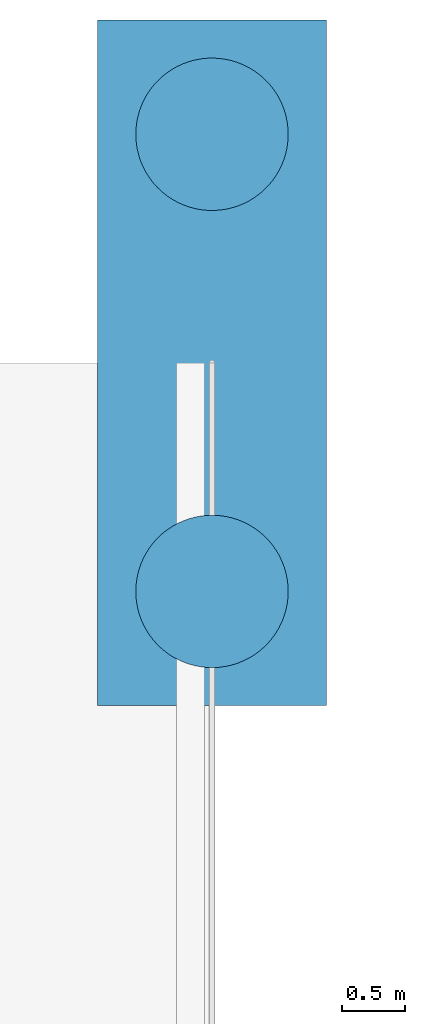
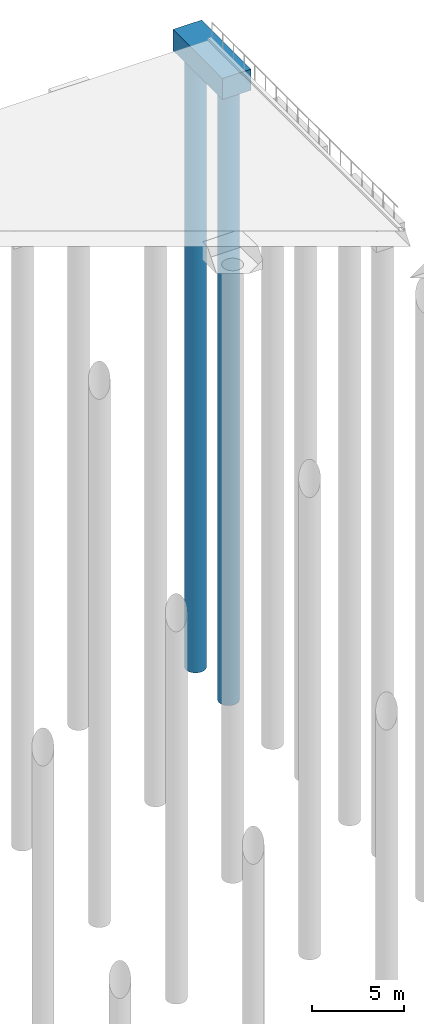
# One storey, part 6 of 212: 2 piles, 1 footing.
"""IFC4 building model written with IfcOpenShell, lengths in metres."""

from ifc_helpers import new_model, si_unit, direction, frame, origin, origin_2d, place, context, subcontext, project, spatial, rectangle, circle, extrude, material, material_profile, profile_set, type_object, element, save


model = new_model("IFC4")

# Units and contexts
model_context = context("Model", 3, precision=1e-05, world=origin(), true_north=direction((0.0, 1.0)))
body_context = subcontext(model_context, "Body", "Model", "MODEL_VIEW")
ifc_project = project(units=[si_unit("LENGTHUNIT", "METRE"), si_unit("AREAUNIT", "SQUARE_METRE"), si_unit("VOLUMEUNIT", "CUBIC_METRE"), si_unit("PLANEANGLEUNIT", "RADIAN"), si_unit("MASSUNIT", "GRAM", prefix="KILO")], contexts=[model_context])

# Site, building, storey
site_placement = place(None, origin())
site = spatial("IfcSite", under=ifc_project, at=site_placement, CompositionType="ELEMENT")
building_placement = place(site_placement, origin())
building = spatial("IfcBuilding", under=site, at=building_placement, Name="Catenary Quay Ferry Terminal", CompositionType="ELEMENT")
storey_placement = place(building_placement, origin())
storey = spatial("IfcBuildingStorey", under=building, at=storey_placement, Name="L00", CompositionType="ELEMENT", Elevation=0.0)

# Piles
ifc_material_1 = material(Name="Concrete C35/45", Category="concrete")
ifc_material_profile = material_profile(ifc_material_1, circle(Radius=0.60009765625, at=origin_2d()), Name="D1200")
ifc_profile_set = profile_set([ifc_material_profile], Name="Concrete C35/45")
pile_type = type_object("IfcPileType", Name="Bored pile D1200", PredefinedType="BORED", material=ifc_profile_set)
for number, where, z_axis, x_axis, name in (
    (1, (117.60009765625, 208.199951171875, -2.10009765625), (0.0, 0.0, -1.0), (1.0, 0.0, 0.0), "Pile PC2-O26/1"),
    (2, (117.60009765625, 211.800048828125, -2.10009765625), (0.0, 0.0, -1.0), (1.0, 0.0, 0.0), "Pile PC2-O26/2"),
):
    element("IfcPile", number, at=place(storey_placement, frame(where, z_axis=z_axis, x_axis=x_axis)), inside=storey, type_object=pile_type, Name=name, PredefinedType="BORED", context=body_context, shape_type="SweptSolid", body=[
        extrude(circle(Radius=0.60009765625, at=origin_2d()), origin(), (0.0, 0.0, 1.0), 40.800048828125),
    ])

# Footing
ifc_material_2 = material(Name="Concrete C35/45", Category="concrete")
footing_type = type_object("IfcFootingType", Name="Pile cap PC2", PredefinedType="PILE_CAP", material=ifc_material_2)
footing_placement = place(storey_placement, frame((117.60009765625, 210.0, -2.099853515625), z_axis=(0.0, 0.0, 1.0), x_axis=(1.0, 0.0, 0.0)))
element("IfcFooting", 3, at=footing_placement, inside=storey, type_object=footing_type, Name="Pile cap PC2-O26", PredefinedType="PILE_CAP", context=body_context, shape_type="SweptSolid", body=[
    extrude(rectangle(XDim=1.800048828125, YDim=5.39990234375, at=origin_2d()), origin(), (0.0, 0.0, 1.0), 1.39990234375),
])

save(model, "model.ifc")
